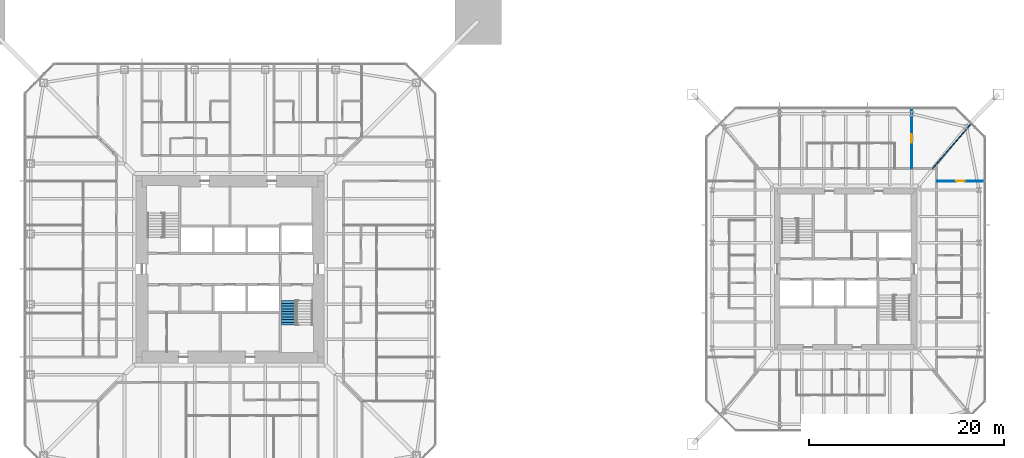
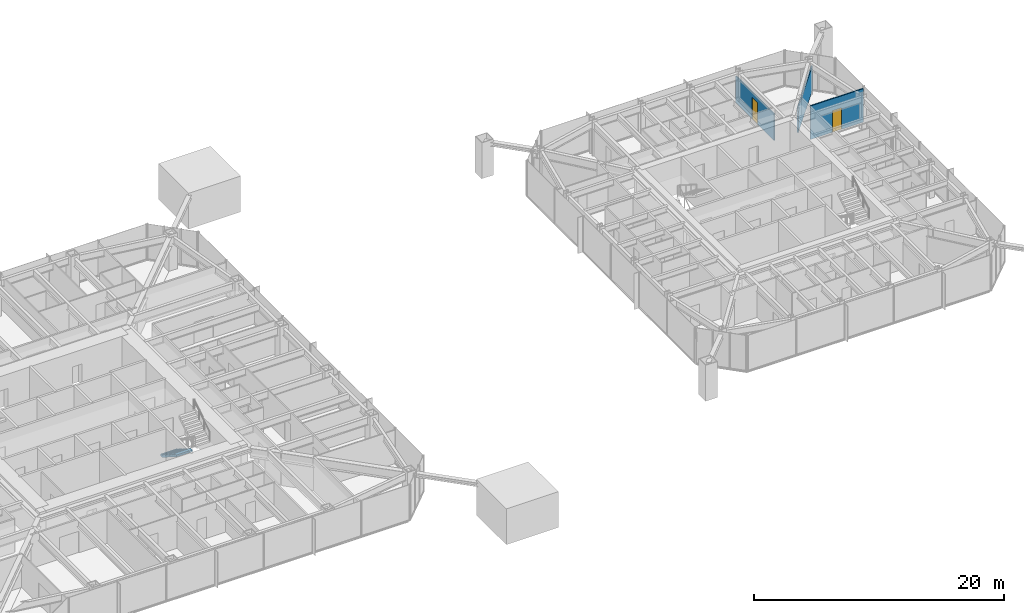
# One storey, part 19 of 25: 3 walls, 2 doors, 1 stair flight, 2 openings, 1 element without a shape of its own.
"""IFC4 building model written with IfcOpenShell, lengths in metres."""

from ifc_helpers import new_model, si_unit, direction, frame, frame_2d, origin, place, context, subcontext, project, spatial, polyline, rectangle, outline, extrude, material, layer, layer_set, constituent, constituent_set, type_object, element, fill, aggregate, save


model = new_model("IFC4")

# Units and contexts
model_context = context("Model", 3, precision=1e-05, world=origin(), true_north=direction((0.0, 1.0)))
body_context = subcontext(model_context, "Body", "Model", "MODEL_VIEW")
ifc_project = project(units=[si_unit("LENGTHUNIT", "METRE"), si_unit("AREAUNIT", "SQUARE_METRE"), si_unit("VOLUMEUNIT", "CUBIC_METRE"), si_unit("PLANEANGLEUNIT", "RADIAN"), si_unit("MASSUNIT", "GRAM", prefix="KILO")], contexts=[model_context])

# Site, building, storey
site_placement = place(None, origin())
site = spatial("IfcSite", under=ifc_project, at=site_placement, CompositionType="ELEMENT")
building_placement = place(site_placement, origin())
building = spatial("IfcBuilding", under=site, at=building_placement, Name="Iwan Alto Co-Living Towers", CompositionType="ELEMENT")
storey_placement = place(building_placement, frame((0.0, 0.0, 112.0)))
storey = spatial("IfcBuildingStorey", under=building, at=storey_placement, Name="L30", CompositionType="ELEMENT", Elevation=112.0)

# Wall, opening, door
ifc_material_1 = material(Name="Gypsum board")
ifc_layer_1 = layer(ifc_material_1, 0.012451171875, Name="Board", Category="Finish")
ifc_material_2 = material(Name="Steel ASTM A1003 ST33H cold-formed studs", Category="steel")
ifc_layer_2 = layer(ifc_material_2, 0.074951171875, Name="Studs", Category="Framing")
ifc_layer_3 = layer(ifc_material_1, 0.012451171875, Name="Board", Category="Finish")
ifc_layer_set = layer_set([ifc_layer_1, ifc_layer_2, ifc_layer_3], Name="PARTITION 100")
wall_type = type_object("IfcWallType", Name="PARTITION 100", PredefinedType="PARTITIONING", material=ifc_layer_set)
wall_1_placement = place(storey_placement, frame((72.300048828125, 9.0, 0.0), z_axis=(0.0, 0.0, 1.0), x_axis=(1.0, 0.0, 0.0)))
wall_1 = element("IfcWall", 1, at=wall_1_placement, inside=storey, type_object=wall_type, Name="Partition L30", PredefinedType="PARTITIONING", context=body_context, shape_type="SweptSolid", body=[
    extrude(rectangle(XDim=4.889892578125, YDim=0.10009765625, at=frame_2d((2.44482421875, 0.0))), origin(), (0.0, 0.0, 1.0), 3.27001953125),
])
opening_1_placement = place(wall_1_placement, frame((2.02001953125, 0.0, 0.0)))
opening_1 = element("IfcOpeningElement", 2, at=opening_1_placement, cuts=wall_1, Name="Opening D2", PredefinedType="OPENING", context=body_context, shape_type="SweptSolid", body=[
    extrude(rectangle(XDim=0.85009765625, YDim=2.10009765625, at=frame_2d((0.425048828125, 1.050048828125))), frame((0.0, 0.06005859375, 0.0), z_axis=(0.0, -1.0, 0.0), x_axis=(1.0, 0.0, 0.0)), (0.0, 0.0, 1.0), 0.1201171875),
])
ifc_material_3 = material(Name="Timber leaf in steel frame", Category="steel")
door_type = type_object("IfcDoorType", Name="ROOM DOOR 850X2100", OperationType="SINGLE_SWING_LEFT", PredefinedType="DOOR", material=ifc_material_3)
door_1_placement = place(opening_1_placement, frame((0.85009765625, 0.0, 0.0), z_axis=(0.0, 0.0, 1.0), x_axis=(-1.0, 0.0, 0.0)))
door_1 = element("IfcDoor", 3, at=door_1_placement, inside=storey, type_object=door_type, Name="Bedroom door L30", OperationType="SINGLE_SWING_RIGHT", OverallHeight=2.10009765625, OverallWidth=0.85009765625, PredefinedType="DOOR", context=body_context, shape_type="SweptSolid", body=[
    extrude(rectangle(XDim=0.85009765625, YDim=2.10009765625, at=frame_2d((0.425048828125, 1.050048828125))), frame((0.0, 0.02490234375, 0.0), z_axis=(0.0, -1.0, 0.0), x_axis=(1.0, 0.0, 0.0)), (0.0, 0.0, 1.0), 0.050048828125),
])
fill(opening_1, door_1)

# Wall
wall_2_placement = place(storey_placement, frame((71.89501953125, 10.300048828125, 0.0), z_axis=(0.0, 0.0, 1.0), x_axis=(0.65378286253, 0.756682211144, 0.0)))
element("IfcWall", 4, at=wall_2_placement, inside=storey, type_object=wall_type, Name="Partition L30", PredefinedType="PARTITIONING", context=body_context, shape_type="SweptSolid", body=[
    extrude(rectangle(XDim=6.005126953125, YDim=0.10009765625, at=frame_2d((3.00244140625, 0.0))), origin(), (0.0, 0.0, 1.0), 2.42919921875),
])

# Wall, opening, door
wall_3_placement = place(storey_placement, frame((69.75, 10.300048828125, 0.0), z_axis=(0.0, 0.0, 1.0), x_axis=(0.0, 1.0, 0.0)))
wall_3 = element("IfcWall", 5, at=wall_3_placement, inside=storey, type_object=wall_type, Name="Partition L30", PredefinedType="PARTITIONING", context=body_context, shape_type="SweptSolid", body=[
    extrude(rectangle(XDim=6.139892578125, YDim=0.10009765625, at=frame_2d((3.06982421875, 0.0))), origin(), (0.0, 0.0, 1.0), 2.586669921875),
])
opening_2_placement = place(wall_3_placement, frame((2.64501953125, 0.0, 0.0)))
opening_2 = element("IfcOpeningElement", 6, at=opening_2_placement, cuts=wall_3, Name="Opening D2", PredefinedType="OPENING", context=body_context, shape_type="SweptSolid", body=[
    extrude(rectangle(XDim=0.85009765625, YDim=2.10009765625, at=frame_2d((0.425048828125, 1.050048828125))), frame((0.0, 0.06005859375, 0.0), z_axis=(0.0, -1.0, 0.0), x_axis=(1.0, 0.0, 0.0)), (0.0, 0.0, 1.0), 0.1201171875),
])
door_2_placement = place(opening_2_placement, origin())
door_2 = element("IfcDoor", 7, at=door_2_placement, inside=storey, type_object=door_type, Name="Study door L30", OperationType="SINGLE_SWING_LEFT", OverallHeight=2.10009765625, OverallWidth=0.85009765625, PredefinedType="DOOR", context=body_context, shape_type="SweptSolid", body=[
    extrude(rectangle(XDim=0.85009765625, YDim=2.10009765625, at=frame_2d((0.425048828125, 1.050048828125))), frame((0.0, 0.02490234375, 0.0), z_axis=(0.0, -1.0, 0.0), x_axis=(1.0, 0.0, 0.0)), (0.0, 0.0, 1.0), 0.050048828125),
])
fill(opening_2, door_2)

# Stair, stair flight
ifc_material_4 = material(Name="Steel ASTM A36", Category="steel")
ifc_constituent_1 = constituent(ifc_material_4, Name="Stringers", Category="LoadBearing")
ifc_material_5 = material(Name="Concrete f'c 30 MPa", Category="concrete")
ifc_constituent_2 = constituent(ifc_material_5, Name="Tread fill", Category="Finish")
ifc_constituent_set_1 = constituent_set(constituents=[ifc_constituent_1, ifc_constituent_2], Name="STAIR 3500 TWO-FLIGHT T1 CORE")
stair_type = type_object("IfcStairType", Name="STAIR 3500 TWO-FLIGHT T1 CORE", PredefinedType="HALF_TURN_STAIR", material=ifc_constituent_set_1)
stair_placement = place(storey_placement, origin())
stair = element("IfcStair", 8, at=stair_placement, inside=storey, type_object=stair_type, Name="Stair T1-S2 L30 to L31", PredefinedType="HALF_TURN_STAIR")
ifc_constituent_3 = constituent(ifc_material_4, Name="Stringers", Category="LoadBearing")
ifc_constituent_4 = constituent(ifc_material_5, Name="Tread fill", Category="Finish")
ifc_constituent_set_2 = constituent_set(constituents=[ifc_constituent_3, ifc_constituent_4], Name="STAIR FLIGHT 10 RISERS 280 GOING")
stair_flight_type = type_object("IfcStairFlightType", Name="STAIR FLIGHT 10 RISERS 280 GOING", PredefinedType="STRAIGHT", material=ifc_constituent_set_2)
stair_flight_placement = place(storey_placement, frame((6.010009765625, -3.219970703125, 0.0), z_axis=(0.0, 0.0, 1.0), x_axis=(0.0, -1.0, 0.0)))
stair_flight = element("IfcStairFlight", 9, at=stair_flight_placement, type_object=stair_flight_type, Name="T1-S2 flight 1", NumberOfRisers=10, NumberOfTreads=9, PredefinedType="STRAIGHT", RiserHeight=0.175, TreadLength=0.28, context=body_context, shape_type="SweptSolid", body=[
    extrude(outline(polyline([(0.0, 0.0), (0.0, 0.175048828125), (0.280029296875, 0.175048828125), (0.280029296875, 0.35009765625), (0.56005859375, 0.35009765625), (0.56005859375, 0.52490234375), (0.840087890625, 0.52490234375), (0.840087890625, 0.699951171875), (1.1201171875, 0.699951171875), (1.1201171875, 0.875), (1.39990234375, 0.875), (1.39990234375, 1.050048828125), (1.679931640625, 1.050048828125), (1.679931640625, 1.22509765625), (1.9599609375, 1.22509765625), (1.9599609375, 1.39990234375), (2.239990234375, 1.39990234375), (2.239990234375, 1.574951171875), (2.52001953125, 1.574951171875), (2.52001953125, 1.75), (2.52001953125, 1.398193359375), (0.28271484375, 0.0), (0.0, 0.0)])), frame((0.0, 0.739990234375, 0.0), z_axis=(0.0, -1.0, 0.0), x_axis=(1.0, 0.0, 0.0)), (0.0, 0.0, 1.0), 1.47998046875),
])
aggregate(stair, [stair_flight])

save(model, "model.ifc")
